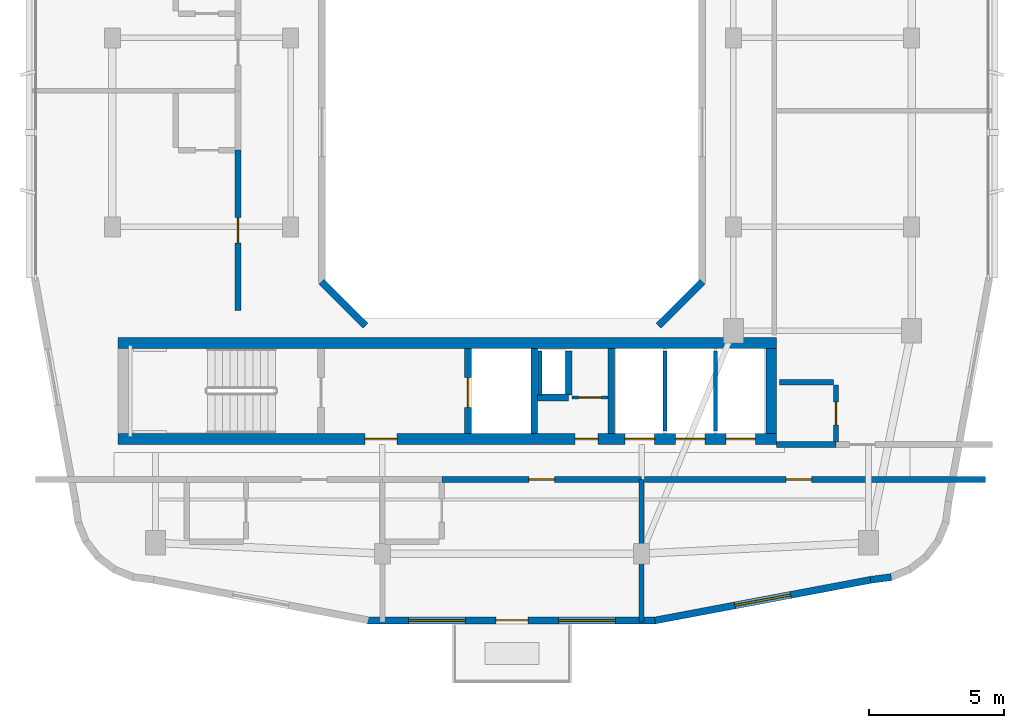
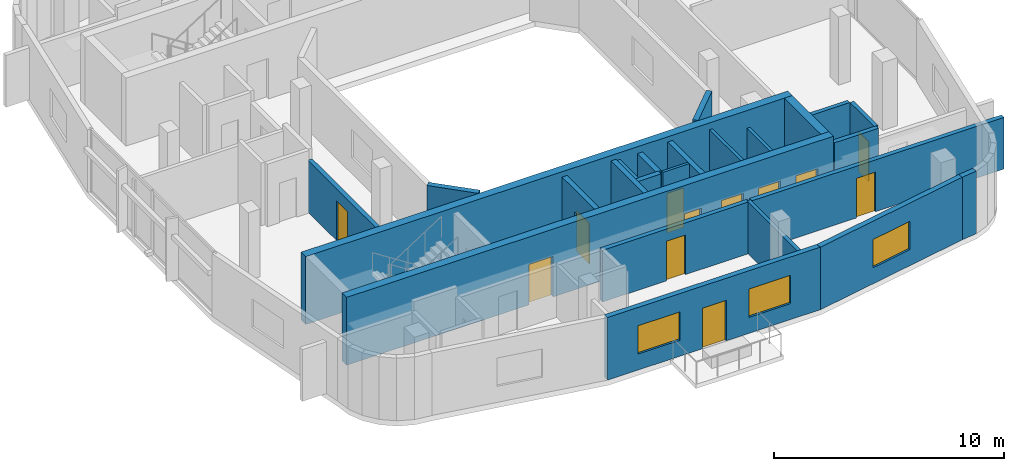
# One storey, part 4 of 10: 24 walls, 12 doors, 3 windows, 15 openings.
"""IFC4 building model written with IfcOpenShell, lengths in metres."""

from ifc_helpers import new_model, si_unit, derived_unit, direction, frame, frame_2d, origin, place, context, subcontext, project, spatial, rectangle, extrude, material, layer, layer_set, type_object, element, fill, save


model = new_model("IFC4")

# Units and contexts
model_context = context("Model", 3, precision=1e-05, world=origin(), true_north=direction((0.0, 1.0)))
body_context = subcontext(model_context, "Body", "Model", "MODEL_VIEW")
ifc_project = project(units=[si_unit("LENGTHUNIT", "METRE"), si_unit("AREAUNIT", "SQUARE_METRE"), si_unit("VOLUMEUNIT", "CUBIC_METRE"), si_unit("PLANEANGLEUNIT", "RADIAN"), si_unit("MASSUNIT", "GRAM", prefix="KILO"), derived_unit("THERMALTRANSMITTANCEUNIT", [(si_unit("POWERUNIT", "WATT"), 1), (si_unit("LENGTHUNIT", "METRE"), -2), (si_unit("THERMODYNAMICTEMPERATUREUNIT", "KELVIN"), -1)])], contexts=[model_context])

# Site, building, storey
site_placement = place(None, origin())
site = spatial("IfcSite", under=ifc_project, at=site_placement, CompositionType="ELEMENT")
building_placement = place(site_placement, origin())
building = spatial("IfcBuilding", under=site, at=building_placement, Name="Kivonza Crest Hotel", CompositionType="ELEMENT")
storey_placement = place(building_placement, frame((0.0, 0.0, 254.0)))
storey = spatial("IfcBuildingStorey", under=building, at=storey_placement, Name="L69", CompositionType="ELEMENT", Elevation=254.0)

# Wall
ifc_material_1 = material(Name="High-density acoustic masonry inter-tenancy wall", Category="masonry")
ifc_layer_1 = layer(ifc_material_1, 0.179931640625)
ifc_layer_set_1 = layer_set([ifc_layer_1], Name="High-density acoustic masonry inter-tenancy wall")
wall_type_1 = type_object("IfcWallType", Name="WL-ACOU-180", PredefinedType="SOLIDWALL", material=ifc_layer_set_1)
wall_1_placement = place(storey_placement, frame((25.800048828125, 6.860107421875, 0.0), z_axis=(0.0, 0.0, 1.0), x_axis=(0.0, 1.0, 0.0)))
element("IfcWall", 1, at=wall_1_placement, inside=storey, type_object=wall_type_1, Name="L69 interior partition WA-L69-T1S-DIV2", PredefinedType="SOLIDWALL", context=body_context, shape_type="SweptSolid", body=[
    extrude(rectangle(XDim=5.27978515625, YDim=0.179931640625, at=frame_2d((2.639892578125, 0.0))), origin(), (0.0, 0.0, 1.0), 2.7451171875),
])

# Wall, opening, door
ifc_material_2 = material(Name="Autoclaved aerated concrete blockwork", Category="masonry")
ifc_layer_2 = layer(ifc_material_2, 0.219970703125)
ifc_layer_set_2 = layer_set([ifc_layer_2], Name="Autoclaved aerated concrete blockwork")
wall_type_2 = type_object("IfcWallType", Name="WL-ACOU-220", PredefinedType="SOLIDWALL", material=ifc_layer_set_2)
wall_2_placement = place(storey_placement, frame((18.39990234375, 12.139892578125, 0.0), z_axis=(0.0, 0.0, 1.0), x_axis=(1.0, 0.0, 0.0)))
wall_2 = element("IfcWall", 2, at=wall_2_placement, inside=storey, type_object=wall_type_2, Name="L69 interior partition WA-L69-S05-MCORR", PredefinedType="SOLIDWALL", context=body_context, shape_type="SweptSolid", body=[
    extrude(rectangle(XDim=7.400146484375, YDim=0.219970703125, at=frame_2d((3.7001953125, 0.0))), origin(), (0.0, 0.0, 1.0), 2.7451171875),
])
opening_1_placement = place(wall_2_placement, frame((3.22509765625, 0.0, 0.0)))
opening_1 = element("IfcOpeningElement", 3, at=opening_1_placement, cuts=wall_2, Name="Opening DU-60", PredefinedType="OPENING", context=body_context, shape_type="SweptSolid", body=[
    extrude(rectangle(XDim=0.949951171875, YDim=2.10009765625, at=frame_2d((0.47509765625, 1.050048828125))), frame((0.0, 0.1201171875, 0.0), z_axis=(0.0, -1.0, 0.0), x_axis=(1.0, 0.0, 0.0)), (0.0, 0.0, 1.0), 0.239990234375),
])
ifc_material_3 = material(Name="Hardwood timber oak", Category="wood")
door_type_1 = type_object("IfcDoorType", Name="DR-UNIT-950", OperationType="NOTDEFINED", PredefinedType="DOOR", material=ifc_material_3)
door_1_placement = place(opening_1_placement, frame((0.949951171875, 0.0, 0.0), z_axis=(0.0, 0.0, 1.0), x_axis=(-1.0, 0.0, 0.0)))
door_1 = element("IfcDoor", 4, at=door_1_placement, inside=storey, type_object=door_type_1, Name="L69 S05 guest unit entrance fire door", OperationType="SINGLE_SWING_LEFT", OverallHeight=2.10009765625, OverallWidth=0.949951171875, PredefinedType="DOOR", context=body_context, shape_type="SweptSolid", body=[
    extrude(rectangle(XDim=0.949951171875, YDim=2.10009765625, at=frame_2d((0.47509765625, 1.050048828125))), frame((0.0, 0.02490234375, 0.0), z_axis=(0.0, -1.0, 0.0), x_axis=(1.0, 0.0, 0.0)), (0.0, 0.0, 1.0), 0.050048828125),
])
fill(opening_1, door_1)

wall_3_placement = place(storey_placement, frame((25.89990234375, 12.139892578125, 0.0), z_axis=(0.0, 0.0, 1.0), x_axis=(1.0, 0.0, 0.0)))
wall_3 = element("IfcWall", 5, at=wall_3_placement, inside=storey, type_object=wall_type_2, Name="L69 interior partition WA-L69-BUS-MTG-N", PredefinedType="SOLIDWALL", context=body_context, shape_type="SweptSolid", body=[
    extrude(rectangle(XDim=12.64013671875, YDim=0.219970703125, at=frame_2d((6.320068359375, 0.0))), origin(), (0.0, 0.0, 1.0), 2.7451171875),
])
opening_2_placement = place(wall_3_placement, frame((5.2509765625, 0.0, 0.0)))
opening_2 = element("IfcOpeningElement", 6, at=opening_2_placement, cuts=wall_3, Name="Opening DF-60S", PredefinedType="OPENING", context=body_context, shape_type="SweptSolid", body=[
    extrude(rectangle(XDim=0.949951171875, YDim=2.10009765625, at=frame_2d((0.47509765625, 1.050048828125))), frame((0.0, 0.1201171875, 0.0), z_axis=(0.0, -1.0, 0.0), x_axis=(1.0, 0.0, 0.0)), (0.0, 0.0, 1.0), 0.239990234375),
])
door_type_2 = type_object("IfcDoorType", Name="DR-FD60-950", OperationType="NOTDEFINED", PredefinedType="DOOR", material=ifc_material_3)
door_2_placement = place(opening_2_placement, frame((0.949951171875, 0.0, 0.0), z_axis=(0.0, 0.0, 1.0), x_axis=(-1.0, 0.0, 0.0)))
door_2 = element("IfcDoor", 7, at=door_2_placement, inside=storey, type_object=door_type_2, Name="L69 Floor Beverage Kitchen door", OperationType="SINGLE_SWING_RIGHT", OverallHeight=2.10009765625, OverallWidth=0.949951171875, PredefinedType="DOOR", context=body_context, shape_type="SweptSolid", body=[
    extrude(rectangle(XDim=0.949951171875, YDim=2.10009765625, at=frame_2d((0.47509765625, 1.050048828125))), frame((0.0, 0.02490234375, 0.0), z_axis=(0.0, -1.0, 0.0), x_axis=(1.0, 0.0, 0.0)), (0.0, 0.0, 1.0), 0.050048828125),
])
fill(opening_2, door_2)

wall_4_placement = place(storey_placement, frame((10.85009765625, 18.39990234375, 0.0), z_axis=(0.0, 0.0, 1.0), x_axis=(0.0, 1.0, 0.0)))
wall_4 = element("IfcWall", 8, at=wall_4_placement, inside=storey, type_object=wall_type_2, Name="L69 interior partition WA-L69-W06-MCORR", PredefinedType="SOLIDWALL", context=body_context, shape_type="SweptSolid", body=[
    extrude(rectangle(XDim=5.940185546875, YDim=0.219970703125, at=frame_2d((2.97021484375, 0.0))), origin(), (0.0, 0.0, 1.0), 2.7451171875),
])
opening_3_placement = place(wall_4_placement, frame((2.4951171875, 0.0, 0.0)))
opening_3 = element("IfcOpeningElement", 9, at=opening_3_placement, cuts=wall_4, Name="Opening DU-60", PredefinedType="OPENING", context=body_context, shape_type="SweptSolid", body=[
    extrude(rectangle(XDim=0.949951171875, YDim=2.10009765625, at=frame_2d((0.47509765625, 1.050048828125))), frame((0.0, 0.1201171875, 0.0), z_axis=(0.0, -1.0, 0.0), x_axis=(1.0, 0.0, 0.0)), (0.0, 0.0, 1.0), 0.239990234375),
])
door_3_placement = place(opening_3_placement, origin())
door_3 = element("IfcDoor", 10, at=door_3_placement, inside=storey, type_object=door_type_1, Name="L69 W06 guest unit entrance fire door", OperationType="SINGLE_SWING_RIGHT", OverallHeight=2.10009765625, OverallWidth=0.949951171875, PredefinedType="DOOR", context=body_context, shape_type="SweptSolid", body=[
    extrude(rectangle(XDim=0.949951171875, YDim=2.10009765625, at=frame_2d((0.47509765625, 1.050048828125))), frame((0.0, 0.02490234375, 0.0), z_axis=(0.0, -1.0, 0.0), x_axis=(1.0, 0.0, 0.0)), (0.0, 0.0, 1.0), 0.050048828125),
])
fill(opening_3, door_3)

# Wall
wall_5_placement = place(storey_placement, frame((30.800048828125, 13.43994140625, 0.0), z_axis=(0.0, 0.0, 1.0), x_axis=(1.0, 0.0, 0.0)))
element("IfcWall", 11, at=wall_5_placement, inside=storey, type_object=wall_type_2, Name="L69 interior partition WA-L69-ES08-BCORR", PredefinedType="SOLIDWALL", context=body_context, shape_type="SweptSolid", body=[
    extrude(rectangle(XDim=2.199951171875, YDim=0.219970703125, at=frame_2d((1.10009765625, 0.0))), origin(), (0.0, 0.0, 1.0), 3.320068359375),
])

# Wall, openings, doors
ifc_material_4 = material(Name="Concrete C50/60", Category="concrete")
ifc_layer_3 = layer(ifc_material_4, 0.39990234375)
ifc_layer_set_3 = layer_set([ifc_layer_3], Name="Concrete C50/60")
wall_type_3 = type_object("IfcWallType", Name="WL-CORE-400", PredefinedType="SHEAR", material=ifc_layer_set_3)
wall_6_placement = place(storey_placement, frame((6.39990234375, 13.639892578125, 0.0), z_axis=(0.0, 0.0, 1.0), x_axis=(1.0, 0.0, 0.0)))
wall_6 = element("IfcWall", 12, at=wall_6_placement, inside=storey, type_object=wall_type_3, Name="Core wall T1-S South L69", PredefinedType="SHEAR", context=body_context, shape_type="SweptSolid", body=[
    extrude(rectangle(XDim=24.400146484375, YDim=0.39990234375, at=frame_2d((12.2001953125, 0.0))), origin(), (0.0, 0.0, 1.0), 3.60009765625),
])
opening_4_placement = place(wall_6_placement, frame((9.14990234375, 0.0, 0.0)))
opening_4 = element("IfcOpeningElement", 13, at=opening_4_placement, cuts=wall_6, Name="Opening DF-60", PredefinedType="OPENING", context=body_context, shape_type="SweptSolid", body=[
    extrude(rectangle(XDim=1.199951171875, YDim=2.14990234375, at=frame_2d((0.60009765625, 1.074951171875))), frame((0.0, 0.2099609375, 0.0), z_axis=(0.0, -1.0, 0.0), x_axis=(1.0, 0.0, 0.0)), (0.0, 0.0, 1.0), 0.419921875),
])
opening_5_placement = place(wall_6_placement, frame((16.93994140625, 0.0, 0.0)))
opening_5 = element("IfcOpeningElement", 14, at=opening_5_placement, cuts=wall_6, Name="Opening DF-60R", PredefinedType="OPENING", context=body_context, shape_type="SweptSolid", body=[
    extrude(rectangle(XDim=0.85009765625, YDim=2.10009765625, at=frame_2d((0.425048828125, 1.050048828125))), frame((0.0, 0.2099609375, 0.0), z_axis=(0.0, -1.0, 0.0), x_axis=(1.0, 0.0, 0.0)), (0.0, 0.0, 1.0), 0.419921875),
])
opening_6_placement = place(wall_6_placement, frame((18.782958984375, 0.0, 0.0)))
opening_6 = element("IfcOpeningElement", 15, at=opening_6_placement, cuts=wall_6, Name="Opening LD-120", PredefinedType="OPENING", context=body_context, shape_type="SweptSolid", body=[
    extrude(rectangle(XDim=1.10009765625, YDim=2.14990234375, at=frame_2d((0.550048828125, 1.074951171875))), frame((0.0, 0.2099609375, 0.0), z_axis=(0.0, -1.0, 0.0), x_axis=(1.0, 0.0, 0.0)), (0.0, 0.0, 1.0), 0.419921875),
])
opening_7_placement = place(wall_6_placement, frame((20.64990234375, 0.0, 0.0)))
opening_7 = element("IfcOpeningElement", 16, at=opening_7_placement, cuts=wall_6, Name="Opening LD-120", PredefinedType="OPENING", context=body_context, shape_type="SweptSolid", body=[
    extrude(rectangle(XDim=1.10009765625, YDim=2.14990234375, at=frame_2d((0.550048828125, 1.074951171875))), frame((0.0, 0.2099609375, 0.0), z_axis=(0.0, -1.0, 0.0), x_axis=(1.0, 0.0, 0.0)), (0.0, 0.0, 1.0), 0.419921875),
])
opening_8_placement = place(wall_6_placement, frame((22.51708984375, 0.0, 0.0)))
opening_8 = element("IfcOpeningElement", 17, at=opening_8_placement, cuts=wall_6, Name="Opening LD-120", PredefinedType="OPENING", context=body_context, shape_type="SweptSolid", body=[
    extrude(rectangle(XDim=1.10009765625, YDim=2.14990234375, at=frame_2d((0.550048828125, 1.074951171875))), frame((0.0, 0.2099609375, 0.0), z_axis=(0.0, -1.0, 0.0), x_axis=(1.0, 0.0, 0.0)), (0.0, 0.0, 1.0), 0.419921875),
])
door_type_3 = type_object("IfcDoorType", Name="DR-FD60-1200", OperationType="NOTDEFINED", PredefinedType="DOOR", material=ifc_material_3)
door_4_placement = place(opening_4_placement, frame((1.199951171875, 0.0, 0.0), z_axis=(0.0, 0.0, 1.0), x_axis=(-1.0, 0.0, 0.0)))
door_4 = element("IfcDoor", 18, at=door_4_placement, inside=storey, type_object=door_type_3, Name="L69 T1-S firefighting lobby fire door", OperationType="SINGLE_SWING_LEFT", OverallHeight=2.14990234375, OverallWidth=1.199951171875, PredefinedType="DOOR", context=body_context, shape_type="SweptSolid", body=[
    extrude(rectangle(XDim=1.199951171875, YDim=2.14990234375, at=frame_2d((0.60009765625, 1.074951171875))), frame((0.0, 0.02490234375, 0.0), z_axis=(0.0, -1.0, 0.0), x_axis=(1.0, 0.0, 0.0)), (0.0, 0.0, 1.0), 0.050048828125),
])
fill(opening_4, door_4)
door_type_4 = type_object("IfcDoorType", Name="DR-FD60-850", OperationType="NOTDEFINED", PredefinedType="DOOR", material=ifc_material_3)
door_5_placement = place(opening_5_placement, frame((0.85009765625, 0.0, 0.0), z_axis=(0.0, 0.0, 1.0), x_axis=(-1.0, 0.0, 0.0)))
door_5 = element("IfcDoor", 19, at=door_5_placement, inside=storey, type_object=door_type_4, Name="L69 T1-S core room door", OperationType="SINGLE_SWING_RIGHT", OverallHeight=2.10009765625, OverallWidth=0.85009765625, PredefinedType="DOOR", context=body_context, shape_type="SweptSolid", body=[
    extrude(rectangle(XDim=0.85009765625, YDim=2.10009765625, at=frame_2d((0.425048828125, 1.050048828125))), frame((0.0, 0.02490234375, 0.0), z_axis=(0.0, -1.0, 0.0), x_axis=(1.0, 0.0, 0.0)), (0.0, 0.0, 1.0), 0.050048828125),
])
fill(opening_5, door_5)
ifc_material_5 = material(Name="Stainless steel", Category="steel")
door_type_5 = type_object("IfcDoorType", Name="DR-LD120-1100", OperationType="NOTDEFINED", PredefinedType="DOOR", material=ifc_material_5)
door_6_placement = place(opening_6_placement, frame((1.10009765625, 0.0, 0.0), z_axis=(0.0, 0.0, 1.0), x_axis=(-1.0, 0.0, 0.0)))
door_6 = element("IfcDoor", 20, at=door_6_placement, inside=storey, type_object=door_type_5, Name="L69 PL-T1-H1 passenger lift sliding landing door", OperationType="DOUBLE_DOOR_SLIDING", OverallHeight=2.14990234375, OverallWidth=1.10009765625, PredefinedType="DOOR", context=body_context, shape_type="SweptSolid", body=[
    extrude(rectangle(XDim=1.10009765625, YDim=2.14990234375, at=frame_2d((0.550048828125, 1.074951171875))), frame((0.0, 0.02490234375, 0.0), z_axis=(0.0, -1.0, 0.0), x_axis=(1.0, 0.0, 0.0)), (0.0, 0.0, 1.0), 0.050048828125),
])
fill(opening_6, door_6)
door_7_placement = place(opening_7_placement, frame((1.10009765625, 0.0, 0.0), z_axis=(0.0, 0.0, 1.0), x_axis=(-1.0, 0.0, 0.0)))
door_7 = element("IfcDoor", 21, at=door_7_placement, inside=storey, type_object=door_type_5, Name="L69 PL-T1-H2 passenger lift sliding landing door", OperationType="DOUBLE_DOOR_SLIDING", OverallHeight=2.14990234375, OverallWidth=1.10009765625, PredefinedType="DOOR", context=body_context, shape_type="SweptSolid", body=[
    extrude(rectangle(XDim=1.10009765625, YDim=2.14990234375, at=frame_2d((0.550048828125, 1.074951171875))), frame((0.0, 0.02490234375, 0.0), z_axis=(0.0, -1.0, 0.0), x_axis=(1.0, 0.0, 0.0)), (0.0, 0.0, 1.0), 0.050048828125),
])
fill(opening_7, door_7)
door_8_placement = place(opening_8_placement, frame((1.10009765625, 0.0, 0.0), z_axis=(0.0, 0.0, 1.0), x_axis=(-1.0, 0.0, 0.0)))
door_8 = element("IfcDoor", 22, at=door_8_placement, inside=storey, type_object=door_type_5, Name="L69 PL-T1-H3 passenger lift sliding landing door", OperationType="DOUBLE_DOOR_SLIDING", OverallHeight=2.14990234375, OverallWidth=1.10009765625, PredefinedType="DOOR", context=body_context, shape_type="SweptSolid", body=[
    extrude(rectangle(XDim=1.10009765625, YDim=2.14990234375, at=frame_2d((0.550048828125, 1.074951171875))), frame((0.0, 0.02490234375, 0.0), z_axis=(0.0, -1.0, 0.0), x_axis=(1.0, 0.0, 0.0)), (0.0, 0.0, 1.0), 0.050048828125),
])
fill(opening_8, door_8)

# Walls
wall_7_placement = place(storey_placement, frame((6.39990234375, 17.199951171875, 0.0), z_axis=(0.0, 0.0, 1.0), x_axis=(1.0, 0.0, 0.0)))
element("IfcWall", 23, at=wall_7_placement, inside=storey, type_object=wall_type_3, Name="Core wall T1-S North L69", PredefinedType="SHEAR", context=body_context, shape_type="SweptSolid", body=[
    extrude(rectangle(XDim=24.400146484375, YDim=0.39990234375, at=frame_2d((12.2001953125, 0.0))), origin(), (0.0, 0.0, 1.0), 3.60009765625),
])
wall_8_placement = place(storey_placement, frame((30.60009765625, 13.840087890625, 0.0), z_axis=(0.0, 0.0, 1.0), x_axis=(0.0, 1.0, 0.0)))
element("IfcWall", 24, at=wall_8_placement, inside=storey, type_object=wall_type_3, Name="Core wall T1-S East L69", PredefinedType="SHEAR", context=body_context, shape_type="SweptSolid", body=[
    extrude(rectangle(XDim=3.159912109375, YDim=0.39990234375, at=frame_2d((1.580078125, 0.0))), origin(), (0.0, 0.0, 1.0), 3.60009765625),
])

# Wall, openings, door, windows
ifc_material_6 = material(Name="Precast concrete C40/50", Category="concrete")
ifc_layer_4 = layer(ifc_material_6, 0.260009765625)
ifc_layer_set_4 = layer_set([ifc_layer_4], Name="Precast concrete C40/50")
wall_type_4 = type_object("IfcWallType", Name="WL-EXT-260", PredefinedType="STANDARD", material=ifc_layer_set_4)
wall_9_placement = place(storey_placement, frame((15.635009765625, 6.929931640625, 0.0), z_axis=(0.0, 0.0, 1.0), x_axis=(1.0, 0.0, 0.0)))
wall_9 = element("IfcWall", 25, at=wall_9_placement, inside=storey, type_object=wall_type_4, Name="L69 T1 exterior insulated wall 8", PredefinedType="STANDARD", context=body_context, shape_type="SweptSolid", body=[
    extrude(rectangle(XDim=10.695068359375, YDim=0.260009765625, at=frame_2d((5.34765625, 0.0))), origin(), (0.0, 0.0, 1.0), 3.320068359375),
])
opening_9_placement = place(wall_9_placement, frame((4.764892578125, 0.0, 0.0)))
opening_9 = element("IfcOpeningElement", 26, at=opening_9_placement, cuts=wall_9, Name="Opening DT-120", PredefinedType="OPENING", context=body_context, shape_type="SweptSolid", body=[
    extrude(rectangle(XDim=1.199951171875, YDim=2.14990234375, at=frame_2d((0.60009765625, 1.074951171875))), frame((0.0, 0.14013671875, 0.0), z_axis=(0.0, -1.0, 0.0), x_axis=(1.0, 0.0, 0.0)), (0.0, 0.0, 1.0), 0.280029296875),
])
opening_10_placement = place(wall_9_placement, frame((1.5400390625, 0.0, 0.85009765625)))
opening_10 = element("IfcOpeningElement", 27, at=opening_10_placement, cuts=wall_9, Name="Opening WN-04", PredefinedType="OPENING", context=body_context, shape_type="SweptSolid", body=[
    extrude(rectangle(XDim=2.10009765625, YDim=1.5, at=frame_2d((1.050048828125, 0.75))), frame((0.0, 0.14013671875, 0.0), z_axis=(0.0, -1.0, 0.0), x_axis=(1.0, 0.0, 0.0)), (0.0, 0.0, 1.0), 0.280029296875),
])
opening_11_placement = place(wall_9_placement, frame((7.090087890625, 0.0, 0.85009765625)))
opening_11 = element("IfcOpeningElement", 28, at=opening_11_placement, cuts=wall_9, Name="Opening WN-04", PredefinedType="OPENING", context=body_context, shape_type="SweptSolid", body=[
    extrude(rectangle(XDim=2.10009765625, YDim=1.5, at=frame_2d((1.050048828125, 0.75))), frame((0.0, 0.14013671875, 0.0), z_axis=(0.0, -1.0, 0.0), x_axis=(1.0, 0.0, 0.0)), (0.0, 0.0, 1.0), 0.280029296875),
])
ifc_material_7 = material(Name="Anodised bronze aluminium and laminated safety glass", Category="aluminium")
door_type_6 = type_object("IfcDoorType", Name="DR-TERR-1200", OperationType="NOTDEFINED", PredefinedType="DOOR", material=ifc_material_7)
door_9_placement = place(opening_9_placement, frame((1.199951171875, 0.0, 0.0), z_axis=(0.0, 0.0, 1.0), x_axis=(-1.0, 0.0, 0.0)))
door_9 = element("IfcDoor", 29, at=door_9_placement, inside=storey, type_object=door_type_6, Name="T1 L69 SW sky-garden bridge access door", OperationType="SINGLE_SWING_LEFT", OverallHeight=2.14990234375, OverallWidth=1.199951171875, PredefinedType="DOOR", context=body_context, shape_type="SweptSolid", body=[
    extrude(rectangle(XDim=1.199951171875, YDim=2.14990234375, at=frame_2d((0.60009765625, 1.074951171875))), frame((0.0, 0.02490234375, 0.0), z_axis=(0.0, -1.0, 0.0), x_axis=(1.0, 0.0, 0.0)), (0.0, 0.0, 1.0), 0.050048828125),
])
fill(opening_9, door_9)
ifc_material_8 = material(Name="Thermally broken bronze aluminium and low-E double glazing", Category="aluminium")
window_type = type_object("IfcWindowType", Name="WN-210x150", PartitioningType="DOUBLE_PANEL_VERTICAL", PredefinedType="WINDOW", material=ifc_material_8)
window_1_placement = place(opening_10_placement, origin())
window_1 = element("IfcWindow", 30, at=window_1_placement, inside=storey, type_object=window_type, Name="L69 T1 facade window 8 bay 1", OverallHeight=1.5, OverallWidth=2.10009765625, PartitioningType="SINGLE_PANEL", PredefinedType="WINDOW", context=body_context, shape_type="SweptSolid", body=[
    extrude(rectangle(XDim=2.10009765625, YDim=1.5, at=frame_2d((1.050048828125, 0.75))), frame((0.0, 0.030029296875, 0.0), z_axis=(0.0, -1.0, 0.0), x_axis=(1.0, 0.0, 0.0)), (0.0, 0.0, 1.0), 0.06005859375),
])
fill(opening_10, window_1)
window_2_placement = place(opening_11_placement, origin())
window_2 = element("IfcWindow", 31, at=window_2_placement, inside=storey, type_object=window_type, Name="L69 T1 facade window 8 bay 2", OverallHeight=1.5, OverallWidth=2.10009765625, PartitioningType="SINGLE_PANEL", PredefinedType="WINDOW", context=body_context, shape_type="SweptSolid", body=[
    extrude(rectangle(XDim=2.10009765625, YDim=1.5, at=frame_2d((1.050048828125, 0.75))), frame((0.0, 0.030029296875, 0.0), z_axis=(0.0, -1.0, 0.0), x_axis=(1.0, 0.0, 0.0)), (0.0, 0.0, 1.0), 0.06005859375),
])
fill(opening_11, window_2)

# Wall, opening, window
wall_10_placement = place(storey_placement, frame((26.291015625, 6.923095703125, 0.0), z_axis=(0.0, 0.0, 1.0), x_axis=(0.982711765767, 0.185142068214, 0.0)))
wall_10 = element("IfcWall", 32, at=wall_10_placement, inside=storey, type_object=wall_type_4, Name="L69 T1 exterior insulated wall 9", PredefinedType="STANDARD", context=body_context, shape_type="SweptSolid", body=[
    extrude(rectangle(XDim=8.133544921875, YDim=0.260009765625, at=frame_2d((4.06689453125, 0.0))), origin(), (0.0, 0.0, 1.0), 3.320068359375),
])
opening_12_placement = place(wall_10_placement, frame((3.01708984375, 0.0, 0.85009765625)))
opening_12 = element("IfcOpeningElement", 33, at=opening_12_placement, cuts=wall_10, Name="Opening WN-04", PredefinedType="OPENING", context=body_context, shape_type="SweptSolid", body=[
    extrude(rectangle(XDim=2.10009765625, YDim=1.5, at=frame_2d((1.050048828125, 0.75))), frame((0.0, 0.14013671875, 0.0), z_axis=(0.0, -1.0, 0.0), x_axis=(1.0, 0.0, 0.0)), (0.0, 0.0, 1.0), 0.280029296875),
])
window_3_placement = place(opening_12_placement, origin())
window_3 = element("IfcWindow", 34, at=window_3_placement, inside=storey, type_object=window_type, Name="L69 T1 facade window 9", OverallHeight=1.5, OverallWidth=2.10009765625, PartitioningType="SINGLE_PANEL", PredefinedType="WINDOW", context=body_context, shape_type="SweptSolid", body=[
    extrude(rectangle(XDim=2.10009765625, YDim=1.5, at=frame_2d((1.050048828125, 0.75))), frame((0.0, 0.030029296875, 0.0), z_axis=(0.0, -1.0, 0.0), x_axis=(1.0, 0.0, 0.0)), (0.0, 0.0, 1.0), 0.06005859375),
])
fill(opening_12, window_3)

# Walls
wall_11_placement = place(storey_placement, frame((34.27490234375, 8.427978515625, 0.0), z_axis=(0.0, 0.0, 1.0), x_axis=(0.991423406861, 0.130689052056, 0.0)))
element("IfcWall", 35, at=wall_11_placement, inside=storey, type_object=wall_type_4, Name="L69 T1 exterior insulated wall 10", PredefinedType="STANDARD", context=body_context, shape_type="SweptSolid", body=[
    extrude(rectangle(XDim=0.78076171875, YDim=0.260009765625, at=frame_2d((0.390380859375, 0.0))), origin(), (0.0, 0.0, 1.0), 3.320068359375),
])
for number, where, z_axis, x_axis, name in (
    (36, (26.422119140625, 17.837890625, 0.0), (0.0, 0.0, 1.0), (0.707053950914, 0.707159607512, 0.0), "L69 T1 light-well exterior wall 2"),
    (37, (13.944091796875, 19.471923828125, 0.0), (0.0, 0.0, 1.0), (0.707053950914, -0.707159607512, 0.0), "L69 T1 light-well exterior wall 8"),
):
    element("IfcWall", number, at=place(storey_placement, frame(where, z_axis=z_axis, x_axis=x_axis)), inside=storey, type_object=wall_type_4, Name=name, PredefinedType="STANDARD", context=body_context, shape_type="SweptSolid", body=[
        extrude(rectangle(XDim=2.310791015625, YDim=0.260009765625, at=frame_2d((1.1552734375, 0.0))), origin(), (0.0, 0.0, 1.0), 3.320068359375),
    ])
ifc_material_9 = material(Name="Concrete blockwork fire-compartment wall", Category="masonry")
ifc_layer_5 = layer(ifc_material_9, 0.25)
ifc_layer_set_5 = layer_set([ifc_layer_5], Name="Concrete blockwork fire-compartment wall")
wall_type_5 = type_object("IfcWallType", Name="WL-FIRE-250", PredefinedType="SOLIDWALL", material=ifc_layer_set_5)
wall_12_placement = place(storey_placement, frame((23.10009765625, 15.280029296875, 0.0), z_axis=(0.0, 0.0, 1.0), x_axis=(0.0, 1.0, 0.0)))
element("IfcWall", 38, at=wall_12_placement, inside=storey, type_object=wall_type_5, Name="L69 interior partition WA-L69-T1-S-MEPR-E", PredefinedType="SOLIDWALL", context=body_context, shape_type="SweptSolid", body=[
    extrude(rectangle(XDim=1.619873046875, YDim=0.25, at=frame_2d((0.81005859375, 0.0))), origin(), (0.0, 0.0, 1.0), 3.320068359375),
])
wall_13_placement = place(storey_placement, frame((21.949951171875, 15.179931640625, 0.0), z_axis=(0.0, 0.0, 1.0), x_axis=(1.0, 0.0, 0.0)))
element("IfcWall", 39, at=wall_13_placement, inside=storey, type_object=wall_type_5, Name="L69 interior partition WA-L69-T1-S-MEPR-H", PredefinedType="SOLIDWALL", context=body_context, shape_type="SweptSolid", body=[
    extrude(rectangle(XDim=1.150146484375, YDim=0.25, at=frame_2d((0.5751953125, 0.0))), origin(), (0.0, 0.0, 1.0), 3.320068359375),
])

# Wall, opening, door
ifc_material_10 = material(Name="Metal-stud gypsum board partition", Category="gypsum")
ifc_layer_6 = layer(ifc_material_10, 0.125)
ifc_layer_set_6 = layer_set([ifc_layer_6], Name="Metal-stud gypsum board partition")
wall_type_6 = type_object("IfcWallType", Name="WL-PART-125", PredefinedType="PARTITIONING", material=ifc_layer_set_6)
wall_14_placement = place(storey_placement, frame((23.219970703125, 15.179931640625, 0.0), z_axis=(0.0, 0.0, 1.0), x_axis=(1.0, 0.0, 0.0)))
wall_14 = element("IfcWall", 40, at=wall_14_placement, inside=storey, type_object=wall_type_6, Name="L69 interior partition WP-L69-T1-S-SV3H", PredefinedType="PARTITIONING", context=body_context, shape_type="SweptSolid", body=[
    extrude(rectangle(XDim=1.330078125, YDim=0.125, at=frame_2d((0.6650390625, 0.0))), origin(), (0.0, 0.0, 1.0), 3.320068359375),
])
opening_13_placement = place(wall_14_placement, frame((0.239990234375, 0.0, 0.0)))
opening_13 = element("IfcOpeningElement", 41, at=opening_13_placement, cuts=wall_14, Name="Opening DI-85", PredefinedType="OPENING", context=body_context, shape_type="SweptSolid", body=[
    extrude(rectangle(XDim=0.85009765625, YDim=2.10009765625, at=frame_2d((0.425048828125, 1.050048828125))), frame((0.0, 0.072509765625, 0.0), z_axis=(0.0, -1.0, 0.0), x_axis=(1.0, 0.0, 0.0)), (0.0, 0.0, 1.0), 0.14501953125),
])
door_type_7 = type_object("IfcDoorType", Name="DR-INT-850", OperationType="NOTDEFINED", PredefinedType="DOOR", material=ifc_material_3)
door_10_placement = place(opening_13_placement, origin())
door_10 = element("IfcDoor", 42, at=door_10_placement, inside=storey, type_object=door_type_7, Name="L69 T1-S inner manifold door", OperationType="SINGLE_SWING_LEFT", OverallHeight=2.10009765625, OverallWidth=0.85009765625, PredefinedType="DOOR", context=body_context, shape_type="SweptSolid", body=[
    extrude(rectangle(XDim=0.85009765625, YDim=2.10009765625, at=frame_2d((0.425048828125, 1.050048828125))), frame((0.0, 0.02490234375, 0.0), z_axis=(0.0, -1.0, 0.0), x_axis=(1.0, 0.0, 0.0)), (0.0, 0.0, 1.0), 0.050048828125),
])
fill(opening_13, door_10)

# Walls
ifc_material_11 = material(Name="Twin-stud acoustic gypsum board partition", Category="gypsum")
ifc_layer_7 = layer(ifc_material_11, 0.14990234375)
ifc_layer_set_7 = layer_set([ifc_layer_7], Name="Twin-stud acoustic gypsum board partition")
wall_type_7 = type_object("IfcWallType", Name="WL-PART-150", PredefinedType="PARTITIONING", material=ifc_layer_set_7)
wall_15_placement = place(storey_placement, frame((22.030029296875, 15.280029296875, 0.0), z_axis=(0.0, 0.0, 1.0), x_axis=(0.0, 1.0, 0.0)))
element("IfcWall", 43, at=wall_15_placement, inside=storey, type_object=wall_type_7, Name="L69 interior partition WA-L69-T1-S-MEPR-W", PredefinedType="PARTITIONING", context=body_context, shape_type="SweptSolid", body=[
    extrude(rectangle(XDim=1.619873046875, YDim=0.14990234375, at=frame_2d((0.81005859375, 0.0))), origin(), (0.0, 0.0, 1.0), 3.320068359375),
])
wall_16_placement = place(storey_placement, frame((26.6669921875, 13.93994140625, 0.0), z_axis=(0.0, 0.0, 1.0), x_axis=(0.0, 1.0, 0.0)))
element("IfcWall", 44, at=wall_16_placement, inside=storey, type_object=wall_type_7, Name="L69 interior partition WP-L69-T1-S-BSH-1", PredefinedType="PARTITIONING", context=body_context, shape_type="SweptSolid", body=[
    extrude(rectangle(XDim=2.9599609375, YDim=0.14990234375, at=frame_2d((1.47998046875, 0.0))), origin(), (0.0, 0.0, 1.0), 3.320068359375),
])
wall_17_placement = place(storey_placement, frame((28.532958984375, 13.93994140625, 0.0), z_axis=(0.0, 0.0, 1.0), x_axis=(0.0, 1.0, 0.0)))
element("IfcWall", 45, at=wall_17_placement, inside=storey, type_object=wall_type_7, Name="L69 interior partition WP-L69-T1-S-BSH-2", PredefinedType="PARTITIONING", context=body_context, shape_type="SweptSolid", body=[
    extrude(rectangle(XDim=2.9599609375, YDim=0.14990234375, at=frame_2d((1.47998046875, 0.0))), origin(), (0.0, 0.0, 1.0), 2.7451171875),
])

# Wall, opening, door
ifc_material_12 = material(Name="Moisture-resistant plumbing chase partition wall", Category="gypsum")
ifc_layer_8 = layer(ifc_material_12, 0.199951171875)
ifc_layer_set_8 = layer_set([ifc_layer_8], Name="Moisture-resistant plumbing chase partition wall")
wall_type_8 = type_object("IfcWallType", Name="WL-PLUMB-200", PredefinedType="PLUMBINGWALL", material=ifc_layer_set_8)
wall_18_placement = place(storey_placement, frame((33.0, 13.5400390625, 0.0), z_axis=(0.0, 0.0, 1.0), x_axis=(0.0, 1.0, 0.0)))
wall_18 = element("IfcWall", 46, at=wall_18_placement, inside=storey, type_object=wall_type_8, Name="L69 interior partition WW-L69-ES08-BV", PredefinedType="PLUMBINGWALL", context=body_context, shape_type="SweptSolid", body=[
    extrude(rectangle(XDim=2.099853515625, YDim=0.199951171875, at=frame_2d((1.0498046875, 0.0))), origin(), (0.0, 0.0, 1.0), 3.320068359375),
])
opening_14_placement = place(wall_18_placement, frame((0.625, 0.0, 0.0)))
opening_14 = element("IfcOpeningElement", 47, at=opening_14_placement, cuts=wall_18, Name="Opening DI-85", PredefinedType="OPENING", context=body_context, shape_type="SweptSolid", body=[
    extrude(rectangle(XDim=0.85009765625, YDim=2.10009765625, at=frame_2d((0.425048828125, 1.050048828125))), frame((0.0, 0.10986328125, 0.0), z_axis=(0.0, -1.0, 0.0), x_axis=(1.0, 0.0, 0.0)), (0.0, 0.0, 1.0), 0.219970703125),
])
door_11_placement = place(opening_14_placement, frame((0.85009765625, 0.0, 0.0), z_axis=(0.0, 0.0, 1.0), x_axis=(-1.0, 0.0, 0.0)))
door_11 = element("IfcDoor", 48, at=door_11_placement, inside=storey, type_object=door_type_7, Name="L69 ES08 en-suite bathroom door", OperationType="SINGLE_SWING_LEFT", OverallHeight=2.10009765625, OverallWidth=0.85009765625, PredefinedType="DOOR", context=body_context, shape_type="SweptSolid", body=[
    extrude(rectangle(XDim=0.85009765625, YDim=2.10009765625, at=frame_2d((0.425048828125, 1.050048828125))), frame((0.0, 0.02490234375, 0.0), z_axis=(0.0, -1.0, 0.0), x_axis=(1.0, 0.0, 0.0)), (0.0, 0.0, 1.0), 0.050048828125),
])
fill(opening_14, door_11)

# Wall
wall_19_placement = place(storey_placement, frame((30.89990234375, 15.739990234375, 0.0), z_axis=(0.0, 0.0, 1.0), x_axis=(1.0, 0.0, 0.0)))
element("IfcWall", 49, at=wall_19_placement, inside=storey, type_object=wall_type_8, Name="L69 interior partition WW-L69-ES08-BH", PredefinedType="PLUMBINGWALL", context=body_context, shape_type="SweptSolid", body=[
    extrude(rectangle(XDim=2.0, YDim=0.199951171875, at=frame_2d((1.0, 0.0))), origin(), (0.0, 0.0, 1.0), 3.320068359375),
])

# Wall, opening, door
ifc_layer_9 = layer(ifc_material_4, 0.25)
ifc_layer_set_9 = layer_set([ifc_layer_9], Name="Concrete C50/60")
wall_type_9 = type_object("IfcWallType", Name="WL-SHAFT-250", PredefinedType="STANDARD", material=ifc_layer_set_9)
wall_20_placement = place(storey_placement, frame((19.375, 13.840087890625, 0.0), z_axis=(0.0, 0.0, 1.0), x_axis=(0.0, 1.0, 0.0)))
wall_20 = element("IfcWall", 50, at=wall_20_placement, inside=storey, type_object=wall_type_9, Name="Core shaft wall T1-S FFL-W L69", PredefinedType="STANDARD", context=body_context, shape_type="SweptSolid", body=[
    extrude(rectangle(XDim=3.159912109375, YDim=0.25, at=frame_2d((1.580078125, 0.0))), origin(), (0.0, 0.0, 1.0), 3.320068359375),
])
opening_15_placement = place(wall_20_placement, frame((0.97998046875, 0.0, 0.0)))
opening_15 = element("IfcOpeningElement", 51, at=opening_15_placement, cuts=wall_20, Name="Opening LD-120", PredefinedType="OPENING", context=body_context, shape_type="SweptSolid", body=[
    extrude(rectangle(XDim=1.10009765625, YDim=2.14990234375, at=frame_2d((0.550048828125, 1.074951171875))), frame((0.0, 0.135009765625, 0.0), z_axis=(0.0, -1.0, 0.0), x_axis=(1.0, 0.0, 0.0)), (0.0, 0.0, 1.0), 0.27001953125),
])
door_12_placement = place(opening_15_placement, origin())
door_12 = element("IfcDoor", 52, at=door_12_placement, inside=storey, type_object=door_type_5, Name="L69 FFL-T1-S firefighting lift sliding landing door", OperationType="DOUBLE_DOOR_SLIDING", OverallHeight=2.14990234375, OverallWidth=1.10009765625, PredefinedType="DOOR", context=body_context, shape_type="SweptSolid", body=[
    extrude(rectangle(XDim=1.10009765625, YDim=2.14990234375, at=frame_2d((0.550048828125, 1.074951171875))), frame((0.0, 0.02490234375, 0.0), z_axis=(0.0, -1.0, 0.0), x_axis=(1.0, 0.0, 0.0)), (0.0, 0.0, 1.0), 0.050048828125),
])
fill(opening_15, door_12)

# Walls
for number, where, z_axis, x_axis, name in (
    (53, (21.824951171875, 13.840087890625, 0.0), (0.0, 0.0, 1.0), (0.0, 1.0, 0.0), "Core shaft wall T1-S FFL-E L69"),
    (54, (24.675048828125, 13.840087890625, 0.0), (0.0, 0.0, 1.0), (0.0, 1.0, 0.0), "Core shaft wall T1-S BANK-W L69"),
):
    element("IfcWall", number, at=place(storey_placement, frame(where, z_axis=z_axis, x_axis=x_axis)), inside=storey, type_object=wall_type_9, Name=name, PredefinedType="STANDARD", context=body_context, shape_type="SweptSolid", body=[
        extrude(rectangle(XDim=3.159912109375, YDim=0.25, at=frame_2d((1.580078125, 0.0))), origin(), (0.0, 0.0, 1.0), 3.320068359375),
    ])

save(model, "model.ifc")
